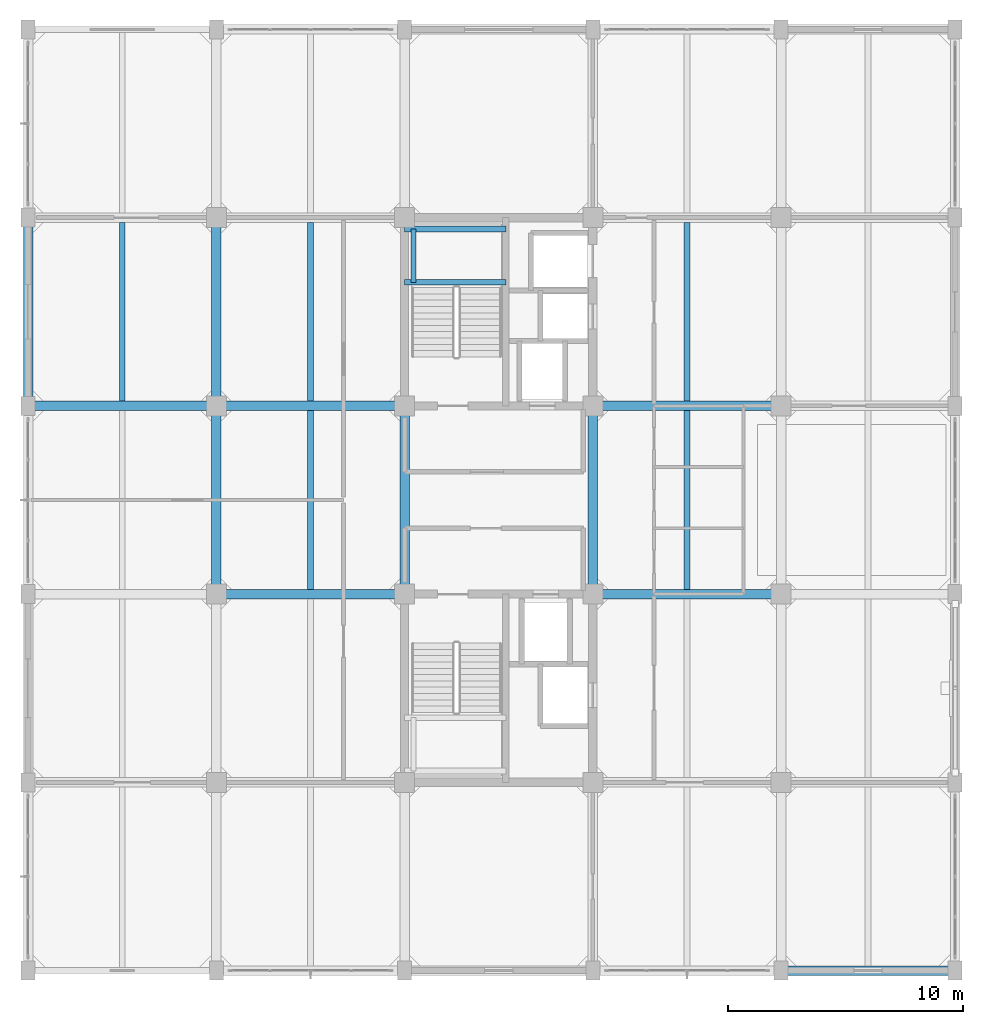
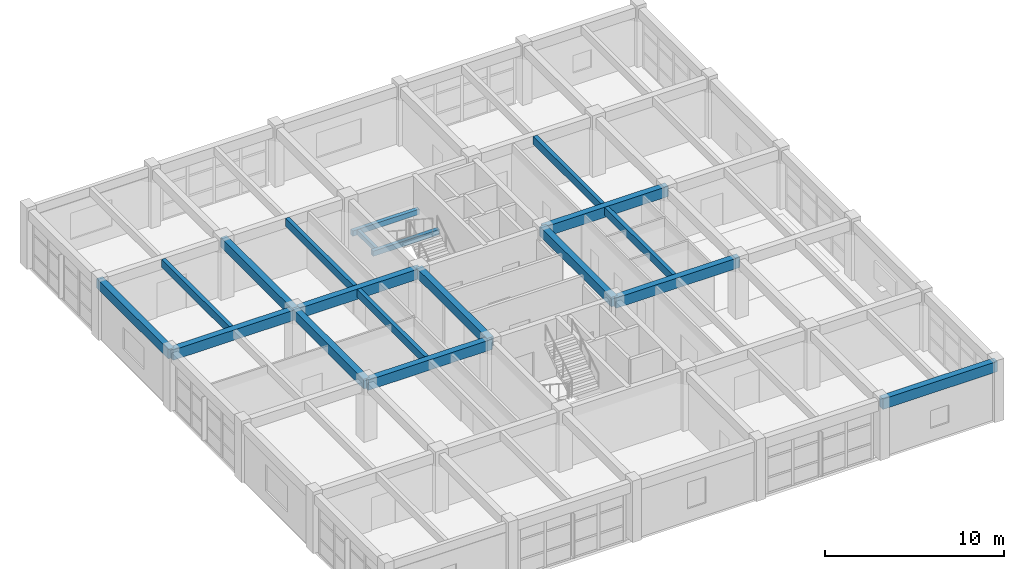
# One storey, part 8 of 27: 19 beams.
"""IFC4 building model written with IfcOpenShell, lengths in metres."""

from ifc_helpers import new_model, si_unit, direction, frame, origin, origin_2d, place, context, subcontext, project, spatial, rectangle, extrude, material, material_profile, profile_set, type_object, element, save


model = new_model("IFC4")

# Units and contexts
model_context = context("Model", 3, precision=1e-05, world=origin(), true_north=direction((0.0, 1.0)))
body_context = subcontext(model_context, "Body", "Model", "MODEL_VIEW")
ifc_project = project(units=[si_unit("LENGTHUNIT", "METRE"), si_unit("AREAUNIT", "SQUARE_METRE"), si_unit("VOLUMEUNIT", "CUBIC_METRE"), si_unit("PLANEANGLEUNIT", "RADIAN"), si_unit("MASSUNIT", "GRAM", prefix="KILO")], contexts=[model_context])

# Site, building, storey
site_placement = place(None, origin())
site = spatial("IfcSite", under=ifc_project, at=site_placement, CompositionType="ELEMENT")
building_placement = place(site_placement, origin())
building = spatial("IfcBuilding", under=site, at=building_placement, Name="Canggui Botanical Conservatory", CompositionType="ELEMENT")
storey_placement = place(building_placement, frame((0.0, 0.0, 31.800048828125)))
storey = spatial("IfcBuildingStorey", under=building, at=storey_placement, Name="L08", CompositionType="ELEMENT", Elevation=31.800048828125)

# Beams
ifc_material = material(Name="Concrete C35", Category="concrete")
ifc_material_profile_1 = material_profile(ifc_material, rectangle(XDim=0.25, YDim=0.550048828125, at=origin_2d()), Name="RB 250x550")
ifc_profile_set_1 = profile_set([ifc_material_profile_1], Name="Concrete C35")
beam_type_1 = type_object("IfcBeamType", Name="BM-JST03", PredefinedType="JOIST", material=ifc_profile_set_1)
for number, where, z_axis, x_axis, name in (
    (1, (142.0, 58.205078125, 3.704833984375), (0.0, 1.0, 0.0), (-1.0, 0.0, 0.0), "Secondary Floor Joist L08-1-4"),
    (2, (150.0, 50.205078125, 3.704833984375), (0.0, 1.0, 0.0), (-1.0, 0.0, 0.0), "Secondary Floor Joist L08-2-3"),
    (3, (150.0, 58.205078125, 3.704833984375), (0.0, 1.0, 0.0), (-1.0, 0.0, 0.0), "Secondary Floor Joist L08-2-4"),
    (4, (166.0, 50.205078125, 3.704833984375), (0.0, 1.0, 0.0), (-1.0, 0.0, 0.0), "Secondary Floor Joist L08-4-3"),
    (5, (166.0, 58.205078125, 3.704833984375), (0.0, 1.0, 0.0), (-1.0, 0.0, 0.0), "Secondary Floor Joist L08-4-4"),
):
    element("IfcBeam", number, at=place(storey_placement, frame(where, z_axis=z_axis, x_axis=x_axis)), inside=storey, type_object=beam_type_1, Name=name, PredefinedType="JOIST", context=body_context, shape_type="SweptSolid", body=[
        extrude(rectangle(XDim=0.25, YDim=0.550048828125, at=origin_2d()), origin(), (0.0, 0.0, 1.0), 7.58984375),
    ])
ifc_material_profile_2 = material_profile(ifc_material, rectangle(XDim=0.39990234375, YDim=0.699951171875, at=origin_2d()), Name="RB 400x700")
ifc_profile_set_2 = profile_set([ifc_material_profile_2], Name="Concrete C35")
beam_type_2 = type_object("IfcBeamType", Name="BM-KL11", PredefinedType="BEAM", material=ifc_profile_set_2)
beam_1_placement = place(storey_placement, frame((170.0, 34.0, 3.6298828125), z_axis=(1.0, 0.0, 0.0), x_axis=(0.0, 1.0, 0.0)))
element("IfcBeam", 6, at=beam_1_placement, inside=storey, type_object=beam_type_2, Name="Frame Girder L08 Y34-5", PredefinedType="BEAM", context=body_context, shape_type="SweptSolid", body=[
    extrude(rectangle(XDim=0.39990234375, YDim=0.699951171875, at=origin_2d()), origin(), (0.0, 0.0, 1.0), 7.39990234375),
])
for number, where, z_axis, x_axis, name in (
    (7, (146.0, 50.0, 3.6298828125), (1.0, 0.0, 0.0), (0.0, 1.0, 0.0), "Frame Girder L08 Y50-2"),
    (8, (162.0, 50.0, 3.6298828125), (1.0, 0.0, 0.0), (0.0, 1.0, 0.0), "Frame Girder L08 Y50-4"),
    (9, (138.0, 58.0, 3.6298828125), (1.0, 0.0, 0.0), (0.0, 1.0, 0.0), "Frame Girder L08 Y58-1"),
    (10, (146.0, 58.0, 3.6298828125), (1.0, 0.0, 0.0), (0.0, 1.0, 0.0), "Frame Girder L08 Y58-2"),
    (11, (162.0, 58.0, 3.6298828125), (1.0, 0.0, 0.0), (0.0, 1.0, 0.0), "Frame Girder L08 Y58-4"),
):
    element("IfcBeam", number, at=place(storey_placement, frame(where, z_axis=z_axis, x_axis=x_axis)), inside=storey, type_object=beam_type_2, Name=name, PredefinedType="BEAM", context=body_context, shape_type="SweptSolid", body=[
        extrude(rectangle(XDim=0.39990234375, YDim=0.699951171875, at=origin_2d()), origin(), (0.0, 0.0, 1.0), 8.0),
    ])
ifc_material_profile_3 = material_profile(ifc_material, rectangle(XDim=0.39990234375, YDim=0.64990234375, at=origin_2d()), Name="RB 400x650")
ifc_profile_set_3 = profile_set([ifc_material_profile_3], Name="Concrete C35")
beam_type_3 = type_object("IfcBeamType", Name="BM-KL12", PredefinedType="BEAM", material=ifc_profile_set_3)
for number, where, z_axis, x_axis, name in (
    (12, (138.0, 58.0, 3.655029296875), (0.0, 1.0, 0.0), (-1.0, 0.0, 0.0), "Frame Girder L08 X138-4"),
    (13, (146.0, 50.0, 3.655029296875), (0.0, 1.0, 0.0), (-1.0, 0.0, 0.0), "Frame Girder L08 X146-3"),
    (14, (146.0, 58.0, 3.655029296875), (0.0, 1.0, 0.0), (-1.0, 0.0, 0.0), "Frame Girder L08 X146-4"),
    (15, (154.0, 50.0, 3.655029296875), (0.0, 1.0, 0.0), (-1.0, 0.0, 0.0), "Frame Girder L08 X154-3"),
    (16, (162.0, 50.0, 3.655029296875), (0.0, 1.0, 0.0), (-1.0, 0.0, 0.0), "Frame Girder L08 X162-3"),
):
    element("IfcBeam", number, at=place(storey_placement, frame(where, z_axis=z_axis, x_axis=x_axis)), inside=storey, type_object=beam_type_3, Name=name, PredefinedType="BEAM", context=body_context, shape_type="SweptSolid", body=[
        extrude(rectangle(XDim=0.39990234375, YDim=0.64990234375, at=origin_2d()), origin(), (0.0, 0.0, 1.0), 8.0),
    ])
ifc_material_profile_4 = material_profile(ifc_material, rectangle(XDim=0.239990234375, YDim=0.360107421875, at=origin_2d()), Name="RB 240x360")
ifc_profile_set_4 = profile_set([ifc_material_profile_4], Name="Concrete C35")
beam_type_4 = type_object("IfcBeamType", Name="BM-LIN01", PredefinedType="LINTEL", material=ifc_profile_set_4)
for number, where, z_axis, x_axis, name in (
    (17, (154.0, 63.24755859375, 1.719970703125), (1.0, 0.0, 0.0), (0.0, 1.0, 0.0), "ST-T2 Half-Landing Ledger Beam L08-1.1"),
    (18, (154.0, 65.52001953125, 1.719970703125), (1.0, 0.0, 0.0), (0.0, 1.0, 0.0), "ST-T2 Half-Landing Ledger Beam L08-1.2"),
):
    element("IfcBeam", number, at=place(storey_placement, frame(where, z_axis=z_axis, x_axis=x_axis)), inside=storey, type_object=beam_type_4, Name=name, PredefinedType="LINTEL", context=body_context, shape_type="SweptSolid", body=[
        extrude(rectangle(XDim=0.239990234375, YDim=0.360107421875, at=origin_2d()), origin(), (0.0, 0.0, 1.0), 4.300048828125),
    ])
ifc_material_profile_5 = material_profile(ifc_material, rectangle(XDim=0.199951171875, YDim=0.320068359375, at=origin_2d()), Name="RB 200x320")
ifc_profile_set_5 = profile_set([ifc_material_profile_5], Name="Concrete C35")
beam_type_5 = type_object("IfcBeamType", Name="BM-LIN02", PredefinedType="LINTEL", material=ifc_profile_set_5)
beam_2_placement = place(storey_placement, frame((154.3798828125, 63.24755859375, 1.719970703125), z_axis=(0.0, 1.0, 0.0), x_axis=(-1.0, 0.0, 0.0)))
element("IfcBeam", 19, at=beam_2_placement, inside=storey, type_object=beam_type_5, Name="ST-T2 Half-Landing Edge Ledger L08-1.3", PredefinedType="LINTEL", context=body_context, shape_type="SweptSolid", body=[
    extrude(rectangle(XDim=0.199951171875, YDim=0.320068359375, at=origin_2d()), origin(), (0.0, 0.0, 1.0), 2.2724609375),
])

save(model, "model.ifc")
